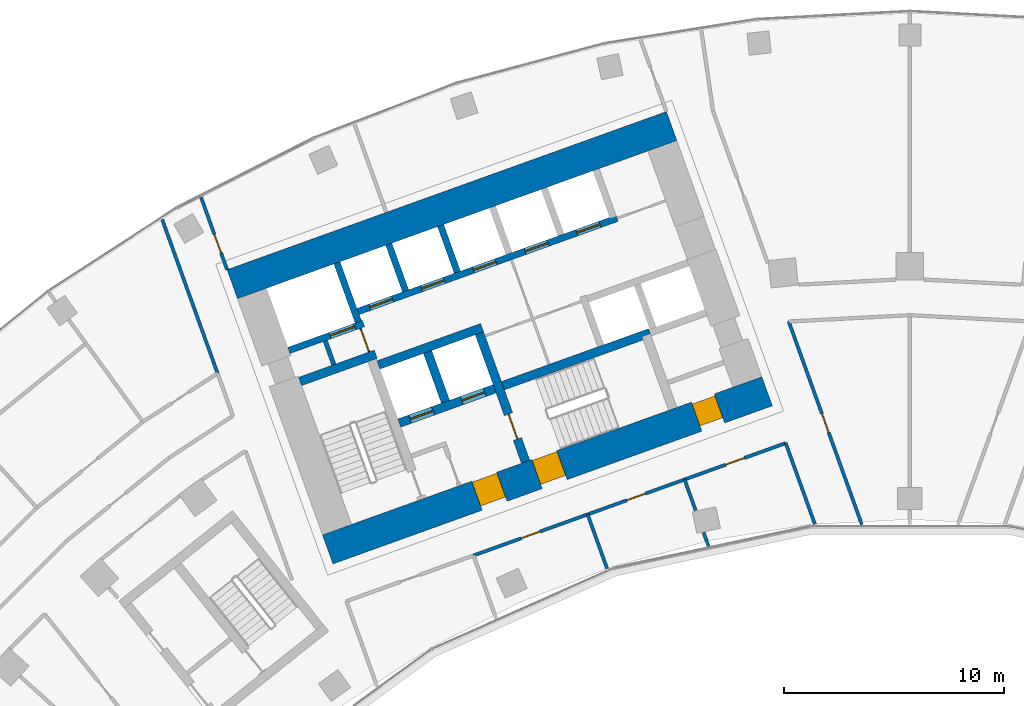
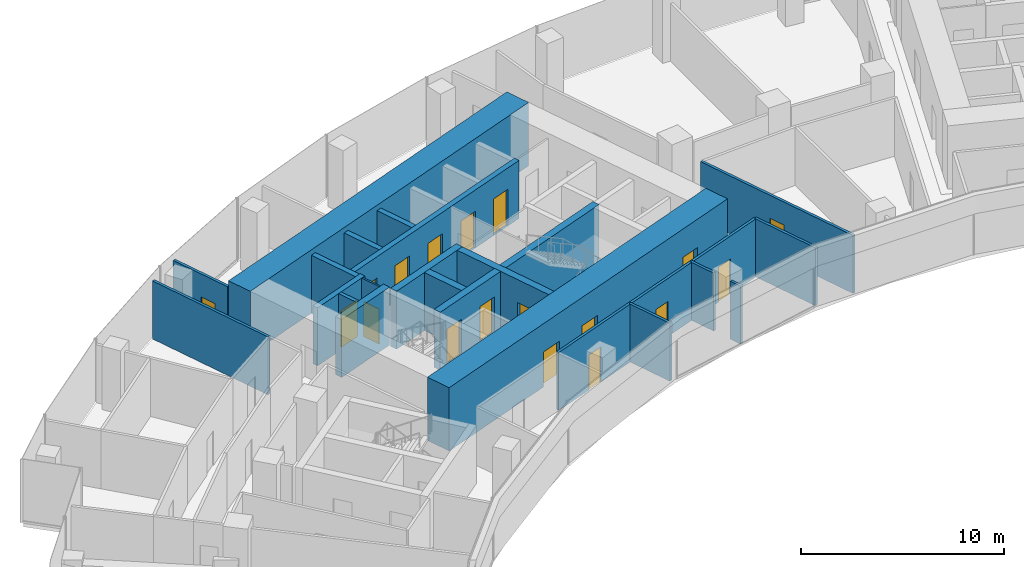
# One storey, part 14 of 21: 24 walls, 18 doors, 18 openings.
"""IFC4 building model written with IfcOpenShell, lengths in metres."""

from ifc_helpers import new_model, si_unit, direction, frame, frame_2d, origin, place, context, subcontext, project, spatial, rectangle, extrude, material, layer, layer_set, type_object, element, fill, save


model = new_model("IFC4")

# Units and contexts
model_context = context("Model", 3, precision=1e-05, world=origin(), true_north=direction((0.0, 1.0)))
body_context = subcontext(model_context, "Body", "Model", "MODEL_VIEW")
ifc_project = project(units=[si_unit("LENGTHUNIT", "METRE"), si_unit("AREAUNIT", "SQUARE_METRE"), si_unit("VOLUMEUNIT", "CUBIC_METRE"), si_unit("PLANEANGLEUNIT", "RADIAN"), si_unit("MASSUNIT", "GRAM", prefix="KILO")], contexts=[model_context])

# Site, building, storey
site_placement = place(None, origin())
site = spatial("IfcSite", under=ifc_project, at=site_placement, CompositionType="ELEMENT")
building_placement = place(site_placement, origin())
building = spatial("IfcBuilding", under=site, at=building_placement, Name="Stone Belt Terrace Tower", CompositionType="ELEMENT")
storey_placement = place(building_placement, frame((0.0, 0.0, 151.60009765625)))
storey = spatial("IfcBuildingStorey", under=building, at=storey_placement, Name="L36", CompositionType="ELEMENT", Elevation=151.60009765625)

# Wall, opening, door
ifc_material_1 = material(Name="Plasterboard partition")
ifc_layer_1 = layer(ifc_material_1, 0.10009765625)
ifc_layer_set_1 = layer_set([ifc_layer_1], Name="Core partition 100")
wall_type_1 = type_object("IfcWallType", Name="Core partition 100", PredefinedType="PARTITIONING", material=ifc_layer_set_1)
wall_1_placement = place(storey_placement, frame((-24.555908203125, 51.10400390625, 0.0), z_axis=(0.0, 0.0, 1.0), x_axis=(-0.338621735342, 0.94092258999, 0.0)))
wall_1 = element("IfcWall", 1, at=wall_1_placement, inside=storey, type_object=wall_type_1, Name="Core A wall", PredefinedType="PARTITIONING", context=body_context, shape_type="SweptSolid", body=[
    extrude(rectangle(XDim=1.14990234375, YDim=0.10009765625, at=frame_2d((0.574951171875, 0.0))), origin(), (0.0, 0.0, 1.0), 3.47998046875),
])
opening_1_placement = place(wall_1_placement, frame((0.050048828125, 0.0, 0.0)))
opening_1 = element("IfcOpeningElement", 2, at=opening_1_placement, cuts=wall_1, Name="Opening L36-C05", PredefinedType="OPENING", context=body_context, shape_type="SweptSolid", body=[
    extrude(rectangle(XDim=1.0, YDim=2.10009765625, at=frame_2d((0.5, 1.050048828125))), frame((0.0, 0.06005859375, 0.0), z_axis=(0.0, -1.0, 0.0), x_axis=(1.0, 0.0, 0.0)), (0.0, 0.0, 1.0), 0.1201171875),
])
ifc_material_2 = material(Name="Timber door leaf", Category="wood")
door_type_1 = type_object("IfcDoorType", Name="Core room door 1000", OperationType="SINGLE_SWING_LEFT", PredefinedType="DOOR", material=ifc_material_2)
door_1_placement = place(opening_1_placement, origin())
door_1 = element("IfcDoor", 3, at=door_1_placement, inside=storey, type_object=door_type_1, Name="Service lift lobby door core A", OperationType="SINGLE_SWING_RIGHT", OverallHeight=2.10009765625, OverallWidth=1.0, PredefinedType="DOOR", context=body_context, shape_type="SweptSolid", body=[
    extrude(rectangle(XDim=1.0, YDim=2.10009765625, at=frame_2d((0.5, 1.050048828125))), frame((0.0, 0.02490234375, 0.0), z_axis=(0.0, -1.0, 0.0), x_axis=(1.0, 0.0, 0.0)), (0.0, 0.0, 1.0), 0.050048828125),
])
fill(opening_1, door_1)

# Wall, openings, doors
ifc_material_3 = material(Name="Concrete B80", Category="concrete")
ifc_layer_2 = layer(ifc_material_3, 1.39990234375)
ifc_layer_set_2 = layer_set([ifc_layer_2], Name="Core wall 1400 B80")
wall_type_2 = type_object("IfcWallType", Name="Core wall 1400 B80", PredefinedType="SHEAR", material=ifc_layer_set_2)
wall_2_placement = place(storey_placement, frame((-26.430908203125, 42.139404296875, 0.0), z_axis=(0.0, 0.0, 1.0), x_axis=(0.940923374003, 0.33861955681, 0.0)))
wall_2 = element("IfcWall", 4, at=wall_2_placement, inside=storey, type_object=wall_type_2, Name="Core A wall concave L36", PredefinedType="SHEAR", context=body_context, shape_type="SweptSolid", body=[
    extrude(rectangle(XDim=21.199951171875, YDim=1.39990234375, at=frame_2d((10.60009765625, 0.0))), origin(), (0.0, 0.0, 1.0), 3.7998046875),
])
opening_2_placement = place(wall_2_placement, frame((7.199951171875, 0.0, 0.0)))
opening_2 = element("IfcOpeningElement", 5, at=opening_2_placement, cuts=wall_2, Name="Opening L36-C10", PredefinedType="OPENING", context=body_context, shape_type="SweptSolid", body=[
    extrude(rectangle(XDim=1.199951171875, YDim=2.10009765625, at=frame_2d((0.60009765625, 1.050048828125))), frame((0.0, 0.7099609375, 0.0), z_axis=(0.0, -1.0, 0.0), x_axis=(1.0, 0.0, 0.0)), (0.0, 0.0, 1.0), 1.419921875),
])
opening_3_placement = place(wall_2_placement, frame((10.099853515625, 0.0, 0.0)))
opening_3 = element("IfcOpeningElement", 6, at=opening_3_placement, cuts=wall_2, Name="Opening L36-C12", PredefinedType="OPENING", context=body_context, shape_type="SweptSolid", body=[
    extrude(rectangle(XDim=1.199951171875, YDim=2.10009765625, at=frame_2d((0.60009765625, 1.050048828125))), frame((0.0, 0.7099609375, 0.0), z_axis=(0.0, -1.0, 0.0), x_axis=(1.0, 0.0, 0.0)), (0.0, 0.0, 1.0), 1.419921875),
])
opening_4_placement = place(wall_2_placement, frame((17.800048828125, 0.0, 0.0)))
opening_4 = element("IfcOpeningElement", 7, at=opening_4_placement, cuts=wall_2, Name="Opening L36-C14", PredefinedType="OPENING", context=body_context, shape_type="SweptSolid", body=[
    extrude(rectangle(XDim=1.10009765625, YDim=2.10009765625, at=frame_2d((0.550048828125, 1.050048828125))), frame((0.0, 0.7099609375, 0.0), z_axis=(0.0, -1.0, 0.0), x_axis=(1.0, 0.0, 0.0)), (0.0, 0.0, 1.0), 1.419921875),
])
door_type_2 = type_object("IfcDoorType", Name="Core room door 1100", OperationType="SINGLE_SWING_LEFT", PredefinedType="DOOR", material=ifc_material_2)
door_2_placement = place(opening_4_placement, origin())
door_2 = element("IfcDoor", 8, at=door_2_placement, inside=storey, type_object=door_type_2, Name="Door to Pipe riser core A", OperationType="SINGLE_SWING_RIGHT", OverallHeight=2.10009765625, OverallWidth=1.10009765625, PredefinedType="DOOR", context=body_context, shape_type="SweptSolid", body=[
    extrude(rectangle(XDim=1.10009765625, YDim=2.10009765625, at=frame_2d((0.550048828125, 1.050048828125))), frame((0.0, 0.60498046875, 0.0), z_axis=(0.0, -1.0, 0.0), x_axis=(1.0, 0.0, 0.0)), (0.0, 0.0, 1.0), 1.050048828125),
])
fill(opening_4, door_2)
ifc_material_4 = material(Name="Steel door leaf", Category="steel")
door_type_3 = type_object("IfcDoorType", Name="Fire-fighting lobby door 1200", OperationType="SINGLE_SWING_LEFT", PredefinedType="DOOR", material=ifc_material_4)
door_3_placement = place(opening_2_placement, origin())
door_3 = element("IfcDoor", 9, at=door_3_placement, inside=storey, type_object=door_type_3, Name="Fire-fighting lobby door core A", OperationType="SINGLE_SWING_RIGHT", OverallHeight=2.10009765625, OverallWidth=1.199951171875, PredefinedType="DOOR", context=body_context, shape_type="SweptSolid", body=[
    extrude(rectangle(XDim=1.199951171875, YDim=2.10009765625, at=frame_2d((0.60009765625, 1.050048828125))), frame((0.0, 0.655029296875, 0.0), z_axis=(0.0, -1.0, 0.0), x_axis=(1.0, 0.0, 0.0)), (0.0, 0.0, 1.0), 1.14990234375),
])
fill(opening_2, door_3)
door_type_4 = type_object("IfcDoorType", Name="Stair door 1200", OperationType="SINGLE_SWING_LEFT", PredefinedType="DOOR", material=ifc_material_4)
door_4_placement = place(opening_3_placement, origin())
door_4 = element("IfcDoor", 10, at=door_4_placement, inside=storey, type_object=door_type_4, Name="Stair 2 exit door core A", OperationType="SINGLE_SWING_LEFT", OverallHeight=2.10009765625, OverallWidth=1.199951171875, PredefinedType="DOOR", context=body_context, shape_type="SweptSolid", body=[
    extrude(rectangle(XDim=1.199951171875, YDim=2.10009765625, at=frame_2d((0.60009765625, 1.050048828125))), frame((0.0, 0.655029296875, 0.0), z_axis=(0.0, -1.0, 0.0), x_axis=(1.0, 0.0, 0.0)), (0.0, 0.0, 1.0), 1.14990234375),
])
fill(opening_3, door_4)

# Walls
wall_3_placement = place(storey_placement, frame((-30.765380859375, 54.18310546875, 0.0), z_axis=(0.0, 0.0, 1.0), x_axis=(0.940919704758, 0.338629752382, 0.0)))
element("IfcWall", 11, at=wall_3_placement, inside=storey, type_object=wall_type_2, Name="Core A wall convex L36", PredefinedType="SHEAR", context=body_context, shape_type="SweptSolid", body=[
    extrude(rectangle(XDim=21.199951171875, YDim=1.39990234375, at=frame_2d((10.60009765625, 0.0))), origin(), (0.0, 0.0, 1.0), 3.7998046875),
])
ifc_layer_3 = layer(ifc_material_3, 0.39990234375)
ifc_layer_set_3 = layer_set([ifc_layer_3], Name="Fire-fighting lift shaft wall 400")
wall_type_3 = type_object("IfcWallType", Name="Fire-fighting lift shaft wall 400", PredefinedType="SHEAR", material=ifc_layer_set_3)
wall_4_placement = place(storey_placement, frame((-24.130615234375, 50.512939453125, 0.0), z_axis=(0.0, 0.0, 1.0), x_axis=(0.94091168377, 0.338652038744, 0.0)))
element("IfcWall", 12, at=wall_4_placement, inside=storey, type_object=wall_type_3, Name="Core A wall", PredefinedType="SHEAR", context=body_context, shape_type="SweptSolid", body=[
    extrude(rectangle(XDim=5.000244140625, YDim=0.39990234375, at=frame_2d((2.5, 0.0))), origin(), (0.0, 0.0, 1.0), 3.47998046875),
])
wall_5_placement = place(storey_placement, frame((-21.0859375, 48.845458984375, 0.0), z_axis=(0.0, 0.0, 1.0), x_axis=(-0.338629416206, 0.940919825745, 0.0)))
element("IfcWall", 13, at=wall_5_placement, inside=storey, type_object=wall_type_3, Name="Core A wall", PredefinedType="SHEAR", context=body_context, shape_type="SweptSolid", body=[
    extrude(rectangle(XDim=2.400146484375, YDim=0.39990234375, at=frame_2d((1.2001953125, 0.0))), origin(), (0.0, 0.0, 1.0), 3.47998046875),
])

# Wall, opening, door
ifc_layer_4 = layer(ifc_material_3, 0.300048828125)
ifc_layer_set_4 = layer_set([ifc_layer_4], Name="Lift shaft wall 300")
wall_type_4 = type_object("IfcWallType", Name="Lift shaft wall 300", PredefinedType="SHEAR", material=ifc_layer_set_4)
wall_6_placement = place(storey_placement, frame((-28.195068359375, 51.17578125, 0.0), z_axis=(0.0, 0.0, 1.0), x_axis=(0.940901243567, 0.338681044427, 0.0)))
wall_6 = element("IfcWall", 14, at=wall_6_placement, inside=storey, type_object=wall_type_4, Name="Core A wall", PredefinedType="SHEAR", context=body_context, shape_type="SweptSolid", body=[
    extrude(rectangle(XDim=3.599853515625, YDim=0.300048828125, at=frame_2d((1.7998046875, 0.0))), origin(), (0.0, 0.0, 1.0), 3.47998046875),
])
opening_5_placement = place(wall_6_placement, frame((1.969970703125, 0.0, 0.0)))
opening_5 = element("IfcOpeningElement", 15, at=opening_5_placement, cuts=wall_6, Name="Opening L36-LD08", PredefinedType="OPENING", context=body_context, shape_type="SweptSolid", body=[
    extrude(rectangle(XDim=1.199951171875, YDim=2.199951171875, at=frame_2d((0.60009765625, 1.10009765625))), frame((0.0, 0.159912109375, 0.0), z_axis=(0.0, -1.0, 0.0), x_axis=(1.0, 0.0, 0.0)), (0.0, 0.0, 1.0), 0.320068359375),
])
ifc_material_5 = material(Name="Stainless steel door leaf", Category="steel")
door_type_5 = type_object("IfcDoorType", Name="Landing door 1200", OperationType="SLIDING_TO_LEFT", PredefinedType="DOOR", material=ifc_material_5)
door_5_placement = place(opening_5_placement, origin())
door_5 = element("IfcDoor", 16, at=door_5_placement, inside=storey, type_object=door_type_5, Name="Landing door SV1 core A", OperationType="SLIDING_TO_LEFT", OverallHeight=2.199951171875, OverallWidth=1.199951171875, PredefinedType="DOOR", context=body_context, shape_type="SweptSolid", body=[
    extrude(rectangle(XDim=1.199951171875, YDim=2.199951171875, at=frame_2d((0.60009765625, 1.10009765625))), frame((0.0, 0.02490234375, 0.0), z_axis=(0.0, -1.0, 0.0), x_axis=(1.0, 0.0, 0.0)), (0.0, 0.0, 1.0), 0.050048828125),
])
fill(opening_5, door_5)

# Wall
wall_7_placement = place(storey_placement, frame((-25.046875, 52.46826171875, 0.0), z_axis=(0.0, 0.0, 1.0), x_axis=(-0.338549588058, 0.940948551423, 0.0)))
element("IfcWall", 17, at=wall_7_placement, inside=storey, type_object=wall_type_4, Name="Core A wall", PredefinedType="SHEAR", context=body_context, shape_type="SweptSolid", body=[
    extrude(rectangle(XDim=2.849853515625, YDim=0.300048828125, at=frame_2d((1.4248046875, 0.0))), origin(), (0.0, 0.0, 1.0), 3.47998046875),
])

# Wall, openings, doors
wall_8_placement = place(storey_placement, frame((-25.05810546875, 52.9423828125, 0.0), z_axis=(0.0, 0.0, 1.0), x_axis=(0.940920770291, 0.338626791666, 0.0)))
wall_8 = element("IfcWall", 18, at=wall_8_placement, inside=storey, type_object=wall_type_4, Name="Core A wall", PredefinedType="SHEAR", context=body_context, shape_type="SweptSolid", body=[
    extrude(rectangle(XDim=12.500244140625, YDim=0.300048828125, at=frame_2d((6.25, 0.0))), origin(), (0.0, 0.0, 1.0), 3.47998046875),
])
opening_6_placement = place(wall_8_placement, frame((0.570068359375, 0.0, 0.0)))
opening_6 = element("IfcOpeningElement", 19, at=opening_6_placement, cuts=wall_8, Name="Opening L36-LD01", PredefinedType="OPENING", context=body_context, shape_type="SweptSolid", body=[
    extrude(rectangle(XDim=1.10009765625, YDim=2.199951171875, at=frame_2d((0.550048828125, 1.10009765625))), frame((0.0, 0.159912109375, 0.0), z_axis=(0.0, -1.0, 0.0), x_axis=(1.0, 0.0, 0.0)), (0.0, 0.0, 1.0), 0.320068359375),
])
opening_7_placement = place(wall_8_placement, frame((3.070068359375, 0.0, 0.0)))
opening_7 = element("IfcOpeningElement", 20, at=opening_7_placement, cuts=wall_8, Name="Opening L36-LD02", PredefinedType="OPENING", context=body_context, shape_type="SweptSolid", body=[
    extrude(rectangle(XDim=1.10009765625, YDim=2.199951171875, at=frame_2d((0.550048828125, 1.10009765625))), frame((0.0, 0.159912109375, 0.0), z_axis=(0.0, -1.0, 0.0), x_axis=(1.0, 0.0, 0.0)), (0.0, 0.0, 1.0), 0.320068359375),
])
opening_8_placement = place(wall_8_placement, frame((5.570068359375, 0.0, 0.0)))
opening_8 = element("IfcOpeningElement", 21, at=opening_8_placement, cuts=wall_8, Name="Opening L36-LD03", PredefinedType="OPENING", context=body_context, shape_type="SweptSolid", body=[
    extrude(rectangle(XDim=1.10009765625, YDim=2.199951171875, at=frame_2d((0.550048828125, 1.10009765625))), frame((0.0, 0.159912109375, 0.0), z_axis=(0.0, -1.0, 0.0), x_axis=(1.0, 0.0, 0.0)), (0.0, 0.0, 1.0), 0.320068359375),
])
opening_9_placement = place(wall_8_placement, frame((8.070068359375, 0.0, 0.0)))
opening_9 = element("IfcOpeningElement", 22, at=opening_9_placement, cuts=wall_8, Name="Opening L36-LD04", PredefinedType="OPENING", context=body_context, shape_type="SweptSolid", body=[
    extrude(rectangle(XDim=1.10009765625, YDim=2.199951171875, at=frame_2d((0.550048828125, 1.10009765625))), frame((0.0, 0.159912109375, 0.0), z_axis=(0.0, -1.0, 0.0), x_axis=(1.0, 0.0, 0.0)), (0.0, 0.0, 1.0), 0.320068359375),
])
opening_10_placement = place(wall_8_placement, frame((10.570068359375, 0.0, 0.0)))
opening_10 = element("IfcOpeningElement", 23, at=opening_10_placement, cuts=wall_8, Name="Opening L36-LD05", PredefinedType="OPENING", context=body_context, shape_type="SweptSolid", body=[
    extrude(rectangle(XDim=1.10009765625, YDim=2.199951171875, at=frame_2d((0.550048828125, 1.10009765625))), frame((0.0, 0.159912109375, 0.0), z_axis=(0.0, -1.0, 0.0), x_axis=(1.0, 0.0, 0.0)), (0.0, 0.0, 1.0), 0.320068359375),
])
door_type_6 = type_object("IfcDoorType", Name="Landing door 1100", OperationType="SLIDING_TO_LEFT", PredefinedType="DOOR", material=ifc_material_5)
door_6_placement = place(opening_6_placement, origin())
door_6 = element("IfcDoor", 24, at=door_6_placement, inside=storey, type_object=door_type_6, Name="Landing door MR1 core A", OperationType="SLIDING_TO_LEFT", OverallHeight=2.199951171875, OverallWidth=1.10009765625, PredefinedType="DOOR", context=body_context, shape_type="SweptSolid", body=[
    extrude(rectangle(XDim=1.10009765625, YDim=2.199951171875, at=frame_2d((0.550048828125, 1.10009765625))), frame((0.0, 0.02490234375, 0.0), z_axis=(0.0, -1.0, 0.0), x_axis=(1.0, 0.0, 0.0)), (0.0, 0.0, 1.0), 0.050048828125),
])
fill(opening_6, door_6)
door_7_placement = place(opening_7_placement, origin())
door_7 = element("IfcDoor", 25, at=door_7_placement, inside=storey, type_object=door_type_6, Name="Landing door MR2 core A", OperationType="SLIDING_TO_LEFT", OverallHeight=2.199951171875, OverallWidth=1.10009765625, PredefinedType="DOOR", context=body_context, shape_type="SweptSolid", body=[
    extrude(rectangle(XDim=1.10009765625, YDim=2.199951171875, at=frame_2d((0.550048828125, 1.10009765625))), frame((0.0, 0.02490234375, 0.0), z_axis=(0.0, -1.0, 0.0), x_axis=(1.0, 0.0, 0.0)), (0.0, 0.0, 1.0), 0.050048828125),
])
fill(opening_7, door_7)
door_8_placement = place(opening_8_placement, origin())
door_8 = element("IfcDoor", 26, at=door_8_placement, inside=storey, type_object=door_type_6, Name="Landing door MR3 core A", OperationType="SLIDING_TO_LEFT", OverallHeight=2.199951171875, OverallWidth=1.10009765625, PredefinedType="DOOR", context=body_context, shape_type="SweptSolid", body=[
    extrude(rectangle(XDim=1.10009765625, YDim=2.199951171875, at=frame_2d((0.550048828125, 1.10009765625))), frame((0.0, 0.02490234375, 0.0), z_axis=(0.0, -1.0, 0.0), x_axis=(1.0, 0.0, 0.0)), (0.0, 0.0, 1.0), 0.050048828125),
])
fill(opening_8, door_8)
door_9_placement = place(opening_9_placement, origin())
door_9 = element("IfcDoor", 27, at=door_9_placement, inside=storey, type_object=door_type_6, Name="Landing door MR4 core A", OperationType="SLIDING_TO_LEFT", OverallHeight=2.199951171875, OverallWidth=1.10009765625, PredefinedType="DOOR", context=body_context, shape_type="SweptSolid", body=[
    extrude(rectangle(XDim=1.10009765625, YDim=2.199951171875, at=frame_2d((0.550048828125, 1.10009765625))), frame((0.0, 0.02490234375, 0.0), z_axis=(0.0, -1.0, 0.0), x_axis=(1.0, 0.0, 0.0)), (0.0, 0.0, 1.0), 0.050048828125),
])
fill(opening_9, door_9)
door_10_placement = place(opening_10_placement, origin())
door_10 = element("IfcDoor", 28, at=door_10_placement, inside=storey, type_object=door_type_6, Name="Landing door MR5 core A", OperationType="SLIDING_TO_LEFT", OverallHeight=2.199951171875, OverallWidth=1.10009765625, PredefinedType="DOOR", context=body_context, shape_type="SweptSolid", body=[
    extrude(rectangle(XDim=1.10009765625, YDim=2.199951171875, at=frame_2d((0.550048828125, 1.10009765625))), frame((0.0, 0.02490234375, 0.0), z_axis=(0.0, -1.0, 0.0), x_axis=(1.0, 0.0, 0.0)), (0.0, 0.0, 1.0), 0.050048828125),
])
fill(opening_10, door_10)

# Walls
wall_9_placement = place(storey_placement, frame((-22.897705078125, 53.87939453125, 0.0), z_axis=(0.0, 0.0, 1.0), x_axis=(-0.338535034312, 0.940953787677, 0.0)))
element("IfcWall", 29, at=wall_9_placement, inside=storey, type_object=wall_type_4, Name="Core A wall", PredefinedType="SHEAR", context=body_context, shape_type="SweptSolid", body=[
    extrude(rectangle(XDim=2.25, YDim=0.300048828125, at=frame_2d((1.125, 0.0))), origin(), (0.0, 0.0, 1.0), 3.47998046875),
])
wall_10_placement = place(storey_placement, frame((-20.54541015625, 54.72607421875, 0.0), z_axis=(0.0, 0.0, 1.0), x_axis=(-0.338569601369, 0.940941350472, 0.0)))
element("IfcWall", 30, at=wall_10_placement, inside=storey, type_object=wall_type_4, Name="Core A wall", PredefinedType="SHEAR", context=body_context, shape_type="SweptSolid", body=[
    extrude(rectangle(XDim=2.249755859375, YDim=0.300048828125, at=frame_2d((1.125, 0.0))), origin(), (0.0, 0.0, 1.0), 3.47998046875),
])

# Wall, opening, door
ifc_material_6 = material(Name="Gypsum board partition")
ifc_layer_5 = layer(ifc_material_6, 0.14990234375)
ifc_layer_set_5 = layer_set([ifc_layer_5], Name="PARTITION 150 EI 60")
wall_type_5 = type_object("IfcWallType", Name="PARTITION 150 EI 60", PredefinedType="PARTITIONING", material=ifc_layer_set_5)
wall_11_placement = place(storey_placement, frame((-32.185791015625, 58.131103515625, 0.0), z_axis=(0.0, 0.0, 1.0), x_axis=(0.338662585219, -0.940907887826, 0.0)))
wall_11 = element("IfcWall", 31, at=wall_11_placement, inside=storey, type_object=wall_type_5, Name="L36/wall/i002", PredefinedType="PARTITIONING", context=body_context, shape_type="SweptSolid", body=[
    extrude(rectangle(XDim=3.49560546875, YDim=0.14990234375, at=frame_2d((1.747802734375, 0.0))), origin(), (0.0, 0.0, 1.0), 3.47998046875),
])
opening_11_placement = place(wall_11_placement, frame((1.796630859375, 0.0, 0.0)))
opening_11 = element("IfcOpeningElement", 32, at=opening_11_placement, cuts=wall_11, Name="Opening D-C1-05", PredefinedType="OPENING", context=body_context, shape_type="SweptSolid", body=[
    extrude(rectangle(XDim=0.89990234375, YDim=2.10009765625, at=frame_2d((0.449951171875, 1.050048828125))), frame((0.0, 0.0849609375, 0.0), z_axis=(0.0, -1.0, 0.0), x_axis=(1.0, 0.0, 0.0)), (0.0, 0.0, 1.0), 0.169921875),
])
door_type_7 = type_object("IfcDoorType", Name="OFFICE DOOR 900 X 2100", OperationType="NOTDEFINED", PredefinedType="DOOR", material=ifc_material_2)
door_11_placement = place(opening_11_placement, origin())
door_11 = element("IfcDoor", 33, at=door_11_placement, inside=storey, type_object=door_type_7, Name="L36/door/i05", OperationType="SINGLE_SWING_RIGHT", OverallHeight=2.10009765625, OverallWidth=0.89990234375, PredefinedType="DOOR", context=body_context, shape_type="SweptSolid", body=[
    extrude(rectangle(XDim=0.89990234375, YDim=2.10009765625, at=frame_2d((0.449951171875, 1.050048828125))), frame((0.0, 0.02490234375, 0.0), z_axis=(0.0, -1.0, 0.0), x_axis=(1.0, 0.0, 0.0)), (0.0, 0.0, 1.0), 0.050048828125),
])
fill(opening_11, door_11)

# Walls
wall_12_placement = place(storey_placement, frame((-31.431884765625, 50.12890625, 0.0), z_axis=(0.0, 0.0, 1.0), x_axis=(-0.338627692375, 0.940920446136, 0.0)))
element("IfcWall", 34, at=wall_12_placement, inside=storey, type_object=wall_type_5, Name="L36/wall/i006", PredefinedType="PARTITIONING", context=body_context, shape_type="SweptSolid", body=[
    extrude(rectangle(XDim=7.44189453125, YDim=0.14990234375, at=frame_2d((3.720947265625, 0.0))), origin(), (0.0, 0.0, 1.0), 3.47998046875),
])
wall_13_placement = place(storey_placement, frame((-4.31005859375, 43.27880859375, 0.0), z_axis=(0.0, 0.0, 1.0), x_axis=(-0.338569683937, 0.940941320763, 0.0)))
element("IfcWall", 35, at=wall_13_placement, inside=storey, type_object=wall_type_5, Name="L36/wall/i007", PredefinedType="PARTITIONING", context=body_context, shape_type="SweptSolid", body=[
    extrude(rectangle(XDim=3.9248046875, YDim=0.14990234375, at=frame_2d((1.96240234375, 0.0))), origin(), (0.0, 0.0, 1.0), 3.47998046875),
])

# Wall, opening, door
wall_14_placement = place(storey_placement, frame((-5.5009765625, 52.492919921875, 0.0), z_axis=(0.0, 0.0, 1.0), x_axis=(0.338654259988, -0.940910884299, 0.0)))
wall_14 = element("IfcWall", 36, at=wall_14_placement, inside=storey, type_object=wall_type_5, Name="L36/wall/i009", PredefinedType="PARTITIONING", context=body_context, shape_type="SweptSolid", body=[
    extrude(rectangle(XDim=9.81103515625, YDim=0.14990234375, at=frame_2d((4.905517578125, 0.0))), origin(), (0.0, 0.0, 1.0), 3.47998046875),
])
opening_12_placement = place(wall_14_placement, frame((4.45556640625, 0.0, 0.0)))
opening_12 = element("IfcOpeningElement", 37, at=opening_12_placement, cuts=wall_14, Name="Opening D-C1-26", PredefinedType="OPENING", context=body_context, shape_type="SweptSolid", body=[
    extrude(rectangle(XDim=0.89990234375, YDim=2.10009765625, at=frame_2d((0.449951171875, 1.050048828125))), frame((0.0, 0.0849609375, 0.0), z_axis=(0.0, -1.0, 0.0), x_axis=(1.0, 0.0, 0.0)), (0.0, 0.0, 1.0), 0.169921875),
])
door_12_placement = place(opening_12_placement, origin())
door_12 = element("IfcDoor", 38, at=door_12_placement, inside=storey, type_object=door_type_7, Name="L36/door/i26", OperationType="SINGLE_SWING_RIGHT", OverallHeight=2.10009765625, OverallWidth=0.89990234375, PredefinedType="DOOR", context=body_context, shape_type="SweptSolid", body=[
    extrude(rectangle(XDim=0.89990234375, YDim=2.10009765625, at=frame_2d((0.449951171875, 1.050048828125))), frame((0.0, 0.02490234375, 0.0), z_axis=(0.0, -1.0, 0.0), x_axis=(1.0, 0.0, 0.0)), (0.0, 0.0, 1.0), 0.050048828125),
])
fill(opening_12, door_12)

wall_15_placement = place(storey_placement, frame((-14.625, 43.73095703125, 0.0), z_axis=(0.0, 0.0, 1.0), x_axis=(-0.940943779723, -0.338562850001, 0.0)))
wall_15 = element("IfcWall", 39, at=wall_15_placement, inside=storey, type_object=wall_type_5, Name="L36/wall/i013", PredefinedType="PARTITIONING", context=body_context, shape_type="SweptSolid", body=[
    extrude(rectangle(XDim=5.52001953125, YDim=0.14990234375, at=frame_2d((2.760009765625, 0.0))), origin(), (0.0, 0.0, 1.0), 3.47998046875),
])
opening_13_placement = place(wall_15_placement, frame((2.31005859375, 0.0, 0.0)))
opening_13 = element("IfcOpeningElement", 40, at=opening_13_placement, cuts=wall_15, Name="Opening D-C1-02", PredefinedType="OPENING", context=body_context, shape_type="SweptSolid", body=[
    extrude(rectangle(XDim=0.89990234375, YDim=2.10009765625, at=frame_2d((0.449951171875, 1.050048828125))), frame((0.0, 0.0849609375, 0.0), z_axis=(0.0, -1.0, 0.0), x_axis=(1.0, 0.0, 0.0)), (0.0, 0.0, 1.0), 0.169921875),
])
door_13_placement = place(opening_13_placement, origin())
door_13 = element("IfcDoor", 41, at=door_13_placement, inside=storey, type_object=door_type_7, Name="L36/door/i02", OperationType="SINGLE_SWING_RIGHT", OverallHeight=2.10009765625, OverallWidth=0.89990234375, PredefinedType="DOOR", context=body_context, shape_type="SweptSolid", body=[
    extrude(rectangle(XDim=0.89990234375, YDim=2.10009765625, at=frame_2d((0.449951171875, 1.050048828125))), frame((0.0, 0.02490234375, 0.0), z_axis=(0.0, -1.0, 0.0), x_axis=(1.0, 0.0, 0.0)), (0.0, 0.0, 1.0), 0.050048828125),
])
fill(opening_13, door_13)

wall_16_placement = place(storey_placement, frame((-10.22509765625, 45.31494140625, 0.0), z_axis=(0.0, 0.0, 1.0), x_axis=(-0.940913295412, -0.338647560919, 0.0)))
wall_16 = element("IfcWall", 42, at=wall_16_placement, inside=storey, type_object=wall_type_5, Name="L36/wall/i014", PredefinedType="PARTITIONING", context=body_context, shape_type="SweptSolid", body=[
    extrude(rectangle(XDim=4.68896484375, YDim=0.14990234375, at=frame_2d((2.344482421875, 0.0))), origin(), (0.0, 0.0, 1.0), 3.47998046875),
])
opening_14_placement = place(wall_16_placement, frame((1.89453125, 0.0, 0.0)))
opening_14 = element("IfcOpeningElement", 43, at=opening_14_placement, cuts=wall_16, Name="Opening D-C1-03", PredefinedType="OPENING", context=body_context, shape_type="SweptSolid", body=[
    extrude(rectangle(XDim=0.89990234375, YDim=2.10009765625, at=frame_2d((0.449951171875, 1.050048828125))), frame((0.0, 0.0849609375, 0.0), z_axis=(0.0, -1.0, 0.0), x_axis=(1.0, 0.0, 0.0)), (0.0, 0.0, 1.0), 0.169921875),
])
door_14_placement = place(opening_14_placement, origin())
door_14 = element("IfcDoor", 44, at=door_14_placement, inside=storey, type_object=door_type_7, Name="L36/door/i03", OperationType="SINGLE_SWING_RIGHT", OverallHeight=2.10009765625, OverallWidth=0.89990234375, PredefinedType="DOOR", context=body_context, shape_type="SweptSolid", body=[
    extrude(rectangle(XDim=0.89990234375, YDim=2.10009765625, at=frame_2d((0.449951171875, 1.050048828125))), frame((0.0, 0.02490234375, 0.0), z_axis=(0.0, -1.0, 0.0), x_axis=(1.0, 0.0, 0.0)), (0.0, 0.0, 1.0), 0.050048828125),
])
fill(opening_14, door_14)

wall_17_placement = place(storey_placement, frame((-5.636962890625, 46.966064453125, 0.0), z_axis=(0.0, 0.0, 1.0), x_axis=(-0.940952965864, -0.338537318522, 0.0)))
wall_17 = element("IfcWall", 45, at=wall_17_placement, inside=storey, type_object=wall_type_5, Name="L36/wall/i015", PredefinedType="PARTITIONING", context=body_context, shape_type="SweptSolid", body=[
    extrude(rectangle(XDim=4.888671875, YDim=0.14990234375, at=frame_2d((2.4443359375, 0.0))), origin(), (0.0, 0.0, 1.0), 3.47998046875),
])
opening_15_placement = place(wall_17_placement, frame((1.994384765625, 0.0, 0.0)))
opening_15 = element("IfcOpeningElement", 46, at=opening_15_placement, cuts=wall_17, Name="Opening D-C1-04", PredefinedType="OPENING", context=body_context, shape_type="SweptSolid", body=[
    extrude(rectangle(XDim=0.89990234375, YDim=2.10009765625, at=frame_2d((0.449951171875, 1.050048828125))), frame((0.0, 0.0849609375, 0.0), z_axis=(0.0, -1.0, 0.0), x_axis=(1.0, 0.0, 0.0)), (0.0, 0.0, 1.0), 0.169921875),
])
door_15_placement = place(opening_15_placement, origin())
door_15 = element("IfcDoor", 47, at=door_15_placement, inside=storey, type_object=door_type_7, Name="L36/door/i04", OperationType="SINGLE_SWING_RIGHT", OverallHeight=2.10009765625, OverallWidth=0.89990234375, PredefinedType="DOOR", context=body_context, shape_type="SweptSolid", body=[
    extrude(rectangle(XDim=0.89990234375, YDim=2.10009765625, at=frame_2d((0.449951171875, 1.050048828125))), frame((0.0, 0.02490234375, 0.0), z_axis=(0.0, -1.0, 0.0), x_axis=(1.0, 0.0, 0.0)), (0.0, 0.0, 1.0), 0.050048828125),
])
fill(opening_15, door_15)

# Walls
wall_18_placement = place(storey_placement, frame((-14.631103515625, 43.72900390625, 0.0), z_axis=(0.0, 0.0, 1.0), x_axis=(0.338571450822, -0.940940685, 0.0)))
element("IfcWall", 48, at=wall_18_placement, inside=storey, type_object=wall_type_5, Name="L36/wall/i017", PredefinedType="PARTITIONING", context=body_context, shape_type="SweptSolid", body=[
    extrude(rectangle(XDim=2.62841796875, YDim=0.14990234375, at=frame_2d((1.314208984375, 0.0))), origin(), (0.0, 0.0, 1.0), 3.47998046875),
])
wall_19_placement = place(storey_placement, frame((-10.23095703125, 45.31298828125, 0.0), z_axis=(0.0, 0.0, 1.0), x_axis=(0.338818189928, -0.940851866222, 0.0)))
element("IfcWall", 49, at=wall_19_placement, inside=storey, type_object=wall_type_5, Name="L36/wall/i018", PredefinedType="PARTITIONING", context=body_context, shape_type="SweptSolid", body=[
    extrude(rectangle(XDim=1.48876953125, YDim=0.14990234375, at=frame_2d((0.744384765625, 0.0))), origin(), (0.0, 0.0, 1.0), 3.47998046875),
])
wall_20_placement = place(storey_placement, frame((-9.3642578125, 42.90576171875, 0.0), z_axis=(0.0, 0.0, 1.0), x_axis=(0.338680146918, -0.940901566628, 0.0)))
element("IfcWall", 50, at=wall_20_placement, inside=storey, type_object=wall_type_5, Name="L36/wall/i019", PredefinedType="PARTITIONING", context=body_context, shape_type="SweptSolid", body=[
    extrude(rectangle(XDim=0.65966796875, YDim=0.14990234375, at=frame_2d((0.329833984375, 0.0))), origin(), (0.0, 0.0, 1.0), 3.47998046875),
])
ifc_material_7 = material(Name="Concrete masonry block", Category="masonry")
ifc_layer_6 = layer(ifc_material_7, 0.199951171875)
ifc_layer_set_6 = layer_set([ifc_layer_6], Name="Rated lobby wall 200")
wall_type_6 = type_object("IfcWallType", Name="Rated lobby wall 200", PredefinedType="PARTITIONING", material=ifc_layer_set_6)
wall_21_placement = place(storey_placement, frame((-26.1552734375, 50.5283203125, 0.0), z_axis=(0.0, 0.0, 1.0), x_axis=(-0.338621735342, 0.94092258999, 0.0)))
element("IfcWall", 51, at=wall_21_placement, inside=storey, type_object=wall_type_6, Name="Core A wall", PredefinedType="PARTITIONING", context=body_context, shape_type="SweptSolid", body=[
    extrude(rectangle(XDim=1.14990234375, YDim=0.199951171875, at=frame_2d((0.574951171875, 0.0))), origin(), (0.0, 0.0, 1.0), 3.47998046875),
])
ifc_layer_7 = layer(ifc_material_3, 0.39990234375)
ifc_layer_set_7 = layer_set([ifc_layer_7], Name="Stair enclosure wall 400")
wall_type_7 = type_object("IfcWallType", Name="Stair enclosure wall 400", PredefinedType="SHEAR", material=ifc_layer_set_7)
wall_22_placement = place(storey_placement, frame((-27.687255859375, 49.764404296875, 0.0), z_axis=(0.0, 0.0, 1.0), x_axis=(0.940918954884, 0.338631835981, 0.0)))
element("IfcWall", 52, at=wall_22_placement, inside=storey, type_object=wall_type_7, Name="Core A wall", PredefinedType="SHEAR", context=body_context, shape_type="SweptSolid", body=[
    extrude(rectangle(XDim=3.650146484375, YDim=0.39990234375, at=frame_2d((1.8251953125, 0.0))), origin(), (0.0, 0.0, 1.0), 3.47998046875),
])

# Wall, openings, doors
wall_23_placement = place(storey_placement, frame((-23.182373046875, 47.87841796875, 0.0), z_axis=(0.0, 0.0, 1.0), x_axis=(0.940921101762, 0.338625870628, 0.0)))
wall_23 = element("IfcWall", 53, at=wall_23_placement, inside=storey, type_object=wall_type_7, Name="Core A wall", PredefinedType="SHEAR", context=body_context, shape_type="SweptSolid", body=[
    extrude(rectangle(XDim=12.10009765625, YDim=0.39990234375, at=frame_2d((6.050048828125, 0.0))), origin(), (0.0, 0.0, 1.0), 3.47998046875),
])
opening_16_placement = place(wall_23_placement, frame((0.52001953125, 0.0, 0.0)))
opening_16 = element("IfcOpeningElement", 54, at=opening_16_placement, cuts=wall_23, Name="Opening L36-LD06", PredefinedType="OPENING", context=body_context, shape_type="SweptSolid", body=[
    extrude(rectangle(XDim=1.10009765625, YDim=2.199951171875, at=frame_2d((0.550048828125, 1.10009765625))), frame((0.0, 0.2099609375, 0.0), z_axis=(0.0, -1.0, 0.0), x_axis=(1.0, 0.0, 0.0)), (0.0, 0.0, 1.0), 0.419921875),
])
opening_17_placement = place(wall_23_placement, frame((3.02001953125, 0.0, 0.0)))
opening_17 = element("IfcOpeningElement", 55, at=opening_17_placement, cuts=wall_23, Name="Opening L36-LD07", PredefinedType="OPENING", context=body_context, shape_type="SweptSolid", body=[
    extrude(rectangle(XDim=1.10009765625, YDim=2.199951171875, at=frame_2d((0.550048828125, 1.10009765625))), frame((0.0, 0.2099609375, 0.0), z_axis=(0.0, -1.0, 0.0), x_axis=(1.0, 0.0, 0.0)), (0.0, 0.0, 1.0), 0.419921875),
])
door_16_placement = place(opening_16_placement, origin())
door_16 = element("IfcDoor", 56, at=door_16_placement, inside=storey, type_object=door_type_6, Name="Landing door FF1 core A", OperationType="SLIDING_TO_LEFT", OverallHeight=2.199951171875, OverallWidth=1.10009765625, PredefinedType="DOOR", context=body_context, shape_type="SweptSolid", body=[
    extrude(rectangle(XDim=1.10009765625, YDim=2.199951171875, at=frame_2d((0.550048828125, 1.10009765625))), frame((0.0, 0.02490234375, 0.0), z_axis=(0.0, -1.0, 0.0), x_axis=(1.0, 0.0, 0.0)), (0.0, 0.0, 1.0), 0.050048828125),
])
fill(opening_16, door_16)
door_17_placement = place(opening_17_placement, origin())
door_17 = element("IfcDoor", 57, at=door_17_placement, inside=storey, type_object=door_type_6, Name="Landing door FF2 core A", OperationType="SLIDING_TO_LEFT", OverallHeight=2.199951171875, OverallWidth=1.10009765625, PredefinedType="DOOR", context=body_context, shape_type="SweptSolid", body=[
    extrude(rectangle(XDim=1.10009765625, YDim=2.199951171875, at=frame_2d((0.550048828125, 1.10009765625))), frame((0.0, 0.02490234375, 0.0), z_axis=(0.0, -1.0, 0.0), x_axis=(1.0, 0.0, 0.0)), (0.0, 0.0, 1.0), 0.050048828125),
])
fill(opening_17, door_17)

# Wall, opening, door
wall_24_placement = place(storey_placement, frame((-17.447021484375, 46.116455078125, 0.0), z_axis=(0.0, 0.0, 1.0), x_axis=(-0.33860791464, 0.940927563707, 0.0)))
wall_24 = element("IfcWall", 58, at=wall_24_placement, inside=storey, type_object=wall_type_7, Name="Core A wall", PredefinedType="SHEAR", context=body_context, shape_type="SweptSolid", body=[
    extrude(rectangle(XDim=6.199951171875, YDim=0.39990234375, at=frame_2d((3.10009765625, 0.0))), origin(), (0.0, 0.0, 1.0), 3.47998046875),
])
opening_18_placement = place(wall_24_placement, frame((1.10009765625, 0.0, 0.0)))
opening_18 = element("IfcOpeningElement", 59, at=opening_18_placement, cuts=wall_24, Name="Opening L36-C11", PredefinedType="OPENING", context=body_context, shape_type="SweptSolid", body=[
    extrude(rectangle(XDim=1.199951171875, YDim=2.10009765625, at=frame_2d((0.60009765625, 1.050048828125))), frame((0.0, 0.2099609375, 0.0), z_axis=(0.0, -1.0, 0.0), x_axis=(1.0, 0.0, 0.0)), (0.0, 0.0, 1.0), 0.419921875),
])
door_18_placement = place(opening_18_placement, origin())
door_18 = element("IfcDoor", 60, at=door_18_placement, inside=storey, type_object=door_type_4, Name="Stair 2 door core A", OperationType="SINGLE_SWING_RIGHT", OverallHeight=2.10009765625, OverallWidth=1.199951171875, PredefinedType="DOOR", context=body_context, shape_type="SweptSolid", body=[
    extrude(rectangle(XDim=1.199951171875, YDim=2.10009765625, at=frame_2d((0.60009765625, 1.050048828125))), frame((0.0, 0.02490234375, 0.0), z_axis=(0.0, -1.0, 0.0), x_axis=(1.0, 0.0, 0.0)), (0.0, 0.0, 1.0), 0.050048828125),
])
fill(opening_18, door_18)

save(model, "model.ifc")
